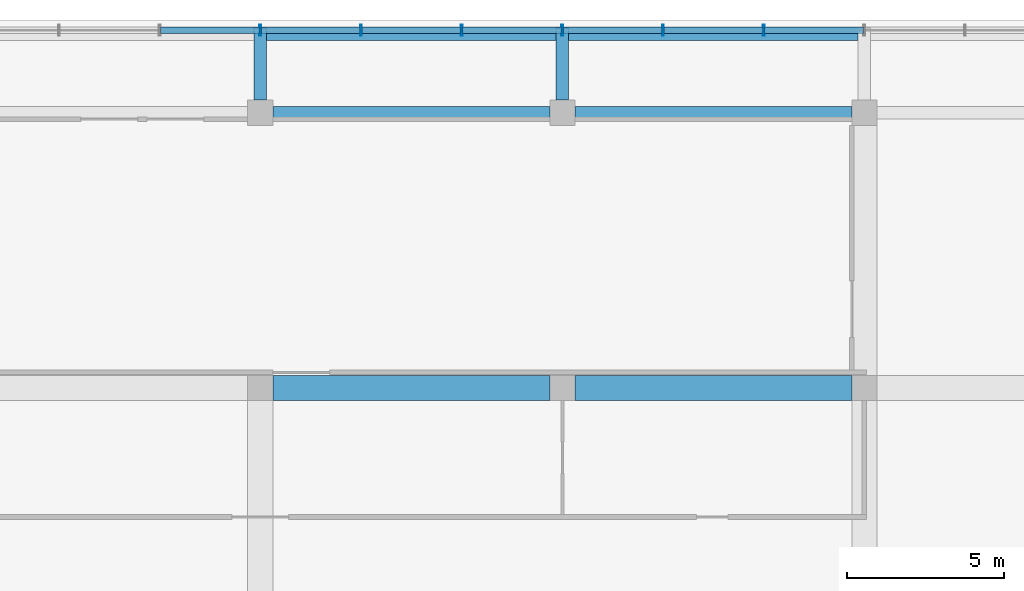
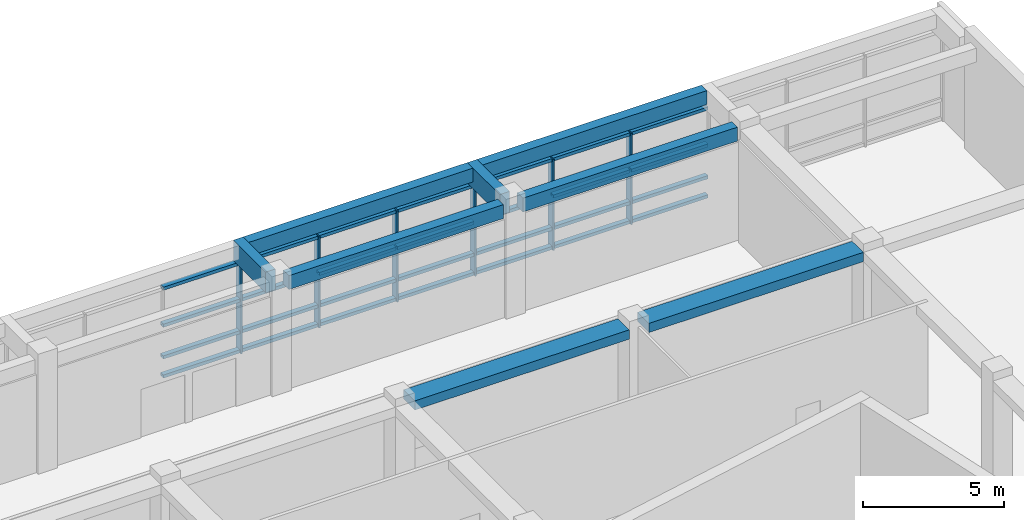
# One storey, part 4 of 31: 34 members, 8 beams, 1 element without a shape of its own.
"""IFC4 building model written with IfcOpenShell, lengths in metres."""

from ifc_helpers import new_model, si_unit, direction, frame, origin, origin_2d, place, context, subcontext, project, spatial, rectangle, hollow_rectangle, extrude, material, layer, layer_set, material_profile, profile_set, type_object, element, aggregate, save


model = new_model("IFC4")

# Units and contexts
model_context = context("Model", 3, precision=1e-05, world=origin(), true_north=direction((0.0, 1.0)))
body_context = subcontext(model_context, "Body", "Model", "MODEL_VIEW")
ifc_project = project(units=[si_unit("LENGTHUNIT", "METRE"), si_unit("AREAUNIT", "SQUARE_METRE"), si_unit("VOLUMEUNIT", "CUBIC_METRE"), si_unit("PLANEANGLEUNIT", "RADIAN"), si_unit("MASSUNIT", "GRAM", prefix="KILO")], contexts=[model_context])

# Site, building, storey
site_placement = place(None, origin())
site = spatial("IfcSite", under=ifc_project, at=site_placement, CompositionType="ELEMENT")
building_placement = place(site_placement, origin())
building = spatial("IfcBuilding", under=site, at=building_placement, Name="Nzadi Deep Aquarium and Research Tower", CompositionType="ELEMENT")
storey_placement = place(building_placement, frame((0.0, 0.0, 26.699951171875)))
storey = spatial("IfcBuildingStorey", under=building, at=storey_placement, Name="L04", CompositionType="ELEMENT", Elevation=26.699951171875)

# Curtain wall, members
ifc_material_1 = material(Name="Aluminium unitised frame tall span", Category="aluminium")
ifc_layer = layer(ifc_material_1, 0.35009765625)
ifc_layer_set = layer_set([ifc_layer], Name="Aluminium unitised frame tall span")
curtain_wall_type = type_object("IfcCurtainWallType", Name="Curtain wall Podium 350", PredefinedType="NOTDEFINED", material=ifc_layer_set)
curtain_wall_placement = place(storey_placement, origin())
curtain_wall = element("IfcCurtainWall", 1, at=curtain_wall_placement, inside=storey, type_object=curtain_wall_type, Name="North cascade curtain wall L04", PredefinedType="NOTDEFINED")
ifc_material_2 = material(Name="Aluminium unitised frame tall span", Category="aluminium")
ifc_material_profile_1 = material_profile(ifc_material_2, hollow_rectangle(XDim=0.35009765625, YDim=0.06005859375, WallThickness=0.0048828125, at=origin_2d()))
ifc_profile_set_1 = profile_set([ifc_material_profile_1], Name="Aluminium unitised frame tall span")
member_type_1 = type_object("IfcMemberType", Name="Mullion 60x350 Podium", PredefinedType="MULLION", material=ifc_profile_set_1)
member_1_placement = place(storey_placement, frame((28.800048828125, 142.97509765625, 0.0), z_axis=(0.0, 0.0, 1.0), x_axis=(0.0, 1.0, 0.0)))
member_1 = element("IfcMember", 2, at=member_1_placement, type_object=member_type_1, Name="CW256 mullion 10", PredefinedType="MULLION", context=body_context, shape_type="SweptSolid", body=[
    extrude(hollow_rectangle(XDim=0.35009765625, YDim=0.06005859375, WallThickness=0.0048828125, at=origin_2d()), origin(), (0.0, 0.0, 1.0), 3.949951171875),
])
member_2_placement = place(storey_placement, frame((32.0, 142.97509765625, 0.0), z_axis=(0.0, 0.0, 1.0), x_axis=(0.0, 1.0, 0.0)))
member_2 = element("IfcMember", 3, at=member_2_placement, type_object=member_type_1, Name="CW256 mullion 11", PredefinedType="MULLION", context=body_context, shape_type="SweptSolid", body=[
    extrude(hollow_rectangle(XDim=0.35009765625, YDim=0.06005859375, WallThickness=0.0048828125, at=origin_2d()), origin(), (0.0, 0.0, 1.0), 3.949951171875),
])
member_3_placement = place(storey_placement, frame((35.199951171875, 142.97509765625, 0.0), z_axis=(0.0, 0.0, 1.0), x_axis=(0.0, 1.0, 0.0)))
member_3 = element("IfcMember", 4, at=member_3_placement, type_object=member_type_1, Name="CW256 mullion 12", PredefinedType="MULLION", context=body_context, shape_type="SweptSolid", body=[
    extrude(hollow_rectangle(XDim=0.35009765625, YDim=0.06005859375, WallThickness=0.0048828125, at=origin_2d()), origin(), (0.0, 0.0, 1.0), 3.949951171875),
])
member_4_placement = place(storey_placement, frame((38.39990234375, 142.97509765625, 0.0), z_axis=(0.0, 0.0, 1.0), x_axis=(0.0, 1.0, 0.0)))
member_4 = element("IfcMember", 5, at=member_4_placement, type_object=member_type_1, Name="CW256 mullion 13", PredefinedType="MULLION", context=body_context, shape_type="SweptSolid", body=[
    extrude(hollow_rectangle(XDim=0.35009765625, YDim=0.06005859375, WallThickness=0.0048828125, at=origin_2d()), origin(), (0.0, 0.0, 1.0), 3.949951171875),
])
member_5_placement = place(storey_placement, frame((41.60009765625, 142.97509765625, 0.0), z_axis=(0.0, 0.0, 1.0), x_axis=(0.0, 1.0, 0.0)))
member_5 = element("IfcMember", 6, at=member_5_placement, type_object=member_type_1, Name="CW256 mullion 14", PredefinedType="MULLION", context=body_context, shape_type="SweptSolid", body=[
    extrude(hollow_rectangle(XDim=0.35009765625, YDim=0.06005859375, WallThickness=0.0048828125, at=origin_2d()), origin(), (0.0, 0.0, 1.0), 3.949951171875),
])
member_6_placement = place(storey_placement, frame((44.800048828125, 142.97509765625, 0.0), z_axis=(0.0, 0.0, 1.0), x_axis=(0.0, 1.0, 0.0)))
member_6 = element("IfcMember", 7, at=member_6_placement, type_object=member_type_1, Name="CW256 mullion 15", PredefinedType="MULLION", context=body_context, shape_type="SweptSolid", body=[
    extrude(hollow_rectangle(XDim=0.35009765625, YDim=0.06005859375, WallThickness=0.0048828125, at=origin_2d()), origin(), (0.0, 0.0, 1.0), 3.949951171875),
])

# Beams
ifc_material_3 = material(Name="Concrete C35/45", Category="concrete")
ifc_material_profile_2 = material_profile(ifc_material_3, rectangle(XDim=0.39990234375, YDim=0.60009765625, at=origin_2d()))
ifc_profile_set_2 = profile_set([ifc_material_profile_2], Name="Concrete C35/45")
beam_type_1 = type_object("IfcBeamType", Name="RC 400x600", PredefinedType="BEAM", material=ifc_profile_set_2)
for number, where, z_axis, x_axis, name in (
    (8, (29.199951171875, 140.35009765625, 4.550048828125), (1.0, 0.0, 0.0), (0.0, 1.0, 0.0), "B-Z3-L04-L18-4"),
    (9, (38.800048828125, 140.35009765625, 4.550048828125), (1.0, 0.0, 0.0), (0.0, 1.0, 0.0), "B-Z3-L04-L18-5"),
):
    element("IfcBeam", number, at=place(storey_placement, frame(where, z_axis=z_axis, x_axis=x_axis)), inside=storey, type_object=beam_type_1, Name=name, PredefinedType="BEAM", context=body_context, shape_type="SweptSolid", body=[
        extrude(rectangle(XDim=0.39990234375, YDim=0.60009765625, at=origin_2d()), origin(), (0.0, 0.0, 1.0), 8.800048828125),
    ])
for number, where, z_axis, x_axis, name in (
    (10, (29.0, 142.85009765625, 4.550048828125), (1.0, 0.0, 0.0), (0.0, 1.0, 0.0), "B-Z3-L05-TB4"),
    (11, (38.60009765625, 142.85009765625, 4.550048828125), (1.0, 0.0, 0.0), (0.0, 1.0, 0.0), "B-Z3-L05-TB5"),
):
    element("IfcBeam", number, at=place(storey_placement, frame(where, z_axis=z_axis, x_axis=x_axis)), inside=storey, type_object=beam_type_1, Name=name, PredefinedType="BEAM", context=body_context, shape_type="SweptSolid", body=[
        extrude(rectangle(XDim=0.39990234375, YDim=0.60009765625, at=origin_2d()), origin(), (0.0, 0.0, 1.0), 9.199951171875),
    ])
ifc_material_4 = material(Name="Concrete C35/45", Category="concrete")
ifc_material_profile_3 = material_profile(ifc_material_4, rectangle(XDim=0.39990234375, YDim=0.89990234375, at=origin_2d()))
ifc_profile_set_3 = profile_set([ifc_material_profile_3], Name="Concrete C35/45")
beam_type_2 = type_object("IfcBeamType", Name="RC 400x900", PredefinedType="BEAM", material=ifc_profile_set_3)
for number, where, z_axis, x_axis, name in (
    (12, (28.800048828125, 140.75, 4.400146484375), (0.0, 1.0, 0.0), (-1.0, 0.0, 0.0), "B-Z3-L05-CB4"),
    (13, (38.39990234375, 140.75, 4.400146484375), (0.0, 1.0, 0.0), (-1.0, 0.0, 0.0), "B-Z3-L05-CB5"),
):
    element("IfcBeam", number, at=place(storey_placement, frame(where, z_axis=z_axis, x_axis=x_axis)), inside=storey, type_object=beam_type_2, Name=name, PredefinedType="BEAM", context=body_context, shape_type="SweptSolid", body=[
        extrude(rectangle(XDim=0.39990234375, YDim=0.89990234375, at=origin_2d()), origin(), (0.0, 0.0, 1.0), 2.300048828125),
    ])
ifc_material_5 = material(Name="Concrete C35/45", Category="concrete")
ifc_material_profile_4 = material_profile(ifc_material_5, rectangle(XDim=0.800048828125, YDim=0.39990234375, at=origin_2d()))
ifc_profile_set_4 = profile_set([ifc_material_profile_4], Name="Concrete C35/45")
beam_type_3 = type_object("IfcBeamType", Name="RC 800x400", PredefinedType="BEAM", material=ifc_profile_set_4)
for number, where, z_axis, x_axis, name in (
    (14, (29.199951171875, 131.60009765625, 4.650146484375), (1.0, 0.0, 0.0), (0.0, 1.0, 0.0), "B-Z3-L04-L17-4"),
    (15, (38.800048828125, 131.60009765625, 4.650146484375), (1.0, 0.0, 0.0), (0.0, 1.0, 0.0), "B-Z3-L04-L17-5"),
):
    element("IfcBeam", number, at=place(storey_placement, frame(where, z_axis=z_axis, x_axis=x_axis)), inside=storey, type_object=beam_type_3, Name=name, PredefinedType="BEAM", context=body_context, shape_type="SweptSolid", body=[
        extrude(rectangle(XDim=0.800048828125, YDim=0.39990234375, at=origin_2d()), origin(), (0.0, 0.0, 1.0), 8.800048828125),
    ])

# Member
ifc_material_6 = material(Name="Aluminium unitised frame tall span", Category="aluminium")
ifc_material_profile_5 = material_profile(ifc_material_6, hollow_rectangle(XDim=0.199951171875, YDim=0.139892578125, WallThickness=0.0048828125, at=origin_2d()))
ifc_profile_set_5 = profile_set([ifc_material_profile_5], Name="Aluminium unitised frame tall span")
member_type_2 = type_object("IfcMemberType", Name="Transom 140x200 Podium", PredefinedType="MULLION", material=ifc_profile_set_5)
member_7_placement = place(storey_placement, frame((25.6298828125, 142.97509765625, 0.070068359375), z_axis=(1.0, 0.0, 0.0), x_axis=(0.0, 1.0, 0.0)))
member_7 = element("IfcMember", 16, at=member_7_placement, type_object=member_type_2, Name="CW256 transom 9.1", PredefinedType="MULLION", context=body_context, shape_type="SweptSolid", body=[
    extrude(hollow_rectangle(XDim=0.199951171875, YDim=0.139892578125, WallThickness=0.0048828125, at=origin_2d()), origin(), (0.0, 0.0, 1.0), 3.14013671875),
])

member_8_placement = place(storey_placement, frame((25.6298828125, 142.97509765625, 0.900146484375), z_axis=(1.0, 0.0, 0.0), x_axis=(0.0, 1.0, 0.0)))
member_8 = element("IfcMember", 17, at=member_8_placement, type_object=member_type_2, Name="CW256 transom 9.2", PredefinedType="MULLION", context=body_context, shape_type="SweptSolid", body=[
    extrude(hollow_rectangle(XDim=0.199951171875, YDim=0.139892578125, WallThickness=0.0048828125, at=origin_2d()), origin(), (0.0, 0.0, 1.0), 3.14013671875),
])

member_9_placement = place(storey_placement, frame((25.6298828125, 142.97509765625, 2.275146484375), z_axis=(1.0, 0.0, 0.0), x_axis=(0.0, 1.0, 0.0)))
member_9 = element("IfcMember", 18, at=member_9_placement, type_object=member_type_2, Name="CW256 transom 9.3", PredefinedType="MULLION", context=body_context, shape_type="SweptSolid", body=[
    extrude(hollow_rectangle(XDim=0.199951171875, YDim=0.139892578125, WallThickness=0.0048828125, at=origin_2d()), origin(), (0.0, 0.0, 1.0), 3.14013671875),
])

member_10_placement = place(storey_placement, frame((25.6298828125, 142.97509765625, 3.880126953125), z_axis=(1.0, 0.0, 0.0), x_axis=(0.0, 1.0, 0.0)))
member_10 = element("IfcMember", 19, at=member_10_placement, type_object=member_type_2, Name="CW256 transom 9.4", PredefinedType="MULLION", context=body_context, shape_type="SweptSolid", body=[
    extrude(hollow_rectangle(XDim=0.199951171875, YDim=0.139892578125, WallThickness=0.0048828125, at=origin_2d()), origin(), (0.0, 0.0, 1.0), 3.14013671875),
])

member_11_placement = place(storey_placement, frame((28.830078125, 142.97509765625, 0.070068359375), z_axis=(1.0, 0.0, 0.0), x_axis=(0.0, 1.0, 0.0)))
member_11 = element("IfcMember", 20, at=member_11_placement, type_object=member_type_2, Name="CW256 transom 10.1", PredefinedType="MULLION", context=body_context, shape_type="SweptSolid", body=[
    extrude(hollow_rectangle(XDim=0.199951171875, YDim=0.139892578125, WallThickness=0.0048828125, at=origin_2d()), origin(), (0.0, 0.0, 1.0), 3.139892578125),
])

member_12_placement = place(storey_placement, frame((28.830078125, 142.97509765625, 0.900146484375), z_axis=(1.0, 0.0, 0.0), x_axis=(0.0, 1.0, 0.0)))
member_12 = element("IfcMember", 21, at=member_12_placement, type_object=member_type_2, Name="CW256 transom 10.2", PredefinedType="MULLION", context=body_context, shape_type="SweptSolid", body=[
    extrude(hollow_rectangle(XDim=0.199951171875, YDim=0.139892578125, WallThickness=0.0048828125, at=origin_2d()), origin(), (0.0, 0.0, 1.0), 3.139892578125),
])

member_13_placement = place(storey_placement, frame((28.830078125, 142.97509765625, 2.275146484375), z_axis=(1.0, 0.0, 0.0), x_axis=(0.0, 1.0, 0.0)))
member_13 = element("IfcMember", 22, at=member_13_placement, type_object=member_type_2, Name="CW256 transom 10.3", PredefinedType="MULLION", context=body_context, shape_type="SweptSolid", body=[
    extrude(hollow_rectangle(XDim=0.199951171875, YDim=0.139892578125, WallThickness=0.0048828125, at=origin_2d()), origin(), (0.0, 0.0, 1.0), 3.139892578125),
])

member_14_placement = place(storey_placement, frame((28.830078125, 142.97509765625, 3.880126953125), z_axis=(1.0, 0.0, 0.0), x_axis=(0.0, 1.0, 0.0)))
member_14 = element("IfcMember", 23, at=member_14_placement, type_object=member_type_2, Name="CW256 transom 10.4", PredefinedType="MULLION", context=body_context, shape_type="SweptSolid", body=[
    extrude(hollow_rectangle(XDim=0.199951171875, YDim=0.139892578125, WallThickness=0.0048828125, at=origin_2d()), origin(), (0.0, 0.0, 1.0), 3.139892578125),
])

member_15_placement = place(storey_placement, frame((32.030029296875, 142.97509765625, 0.070068359375), z_axis=(1.0, 0.0, 0.0), x_axis=(0.0, 1.0, 0.0)))
member_15 = element("IfcMember", 24, at=member_15_placement, type_object=member_type_2, Name="CW256 transom 11.1", PredefinedType="MULLION", context=body_context, shape_type="SweptSolid", body=[
    extrude(hollow_rectangle(XDim=0.199951171875, YDim=0.139892578125, WallThickness=0.0048828125, at=origin_2d()), origin(), (0.0, 0.0, 1.0), 3.139892578125),
])

member_16_placement = place(storey_placement, frame((32.030029296875, 142.97509765625, 0.900146484375), z_axis=(1.0, 0.0, 0.0), x_axis=(0.0, 1.0, 0.0)))
member_16 = element("IfcMember", 25, at=member_16_placement, type_object=member_type_2, Name="CW256 transom 11.2", PredefinedType="MULLION", context=body_context, shape_type="SweptSolid", body=[
    extrude(hollow_rectangle(XDim=0.199951171875, YDim=0.139892578125, WallThickness=0.0048828125, at=origin_2d()), origin(), (0.0, 0.0, 1.0), 3.139892578125),
])

member_17_placement = place(storey_placement, frame((32.030029296875, 142.97509765625, 2.275146484375), z_axis=(1.0, 0.0, 0.0), x_axis=(0.0, 1.0, 0.0)))
member_17 = element("IfcMember", 26, at=member_17_placement, type_object=member_type_2, Name="CW256 transom 11.3", PredefinedType="MULLION", context=body_context, shape_type="SweptSolid", body=[
    extrude(hollow_rectangle(XDim=0.199951171875, YDim=0.139892578125, WallThickness=0.0048828125, at=origin_2d()), origin(), (0.0, 0.0, 1.0), 3.139892578125),
])

member_18_placement = place(storey_placement, frame((32.030029296875, 142.97509765625, 3.880126953125), z_axis=(1.0, 0.0, 0.0), x_axis=(0.0, 1.0, 0.0)))
member_18 = element("IfcMember", 27, at=member_18_placement, type_object=member_type_2, Name="CW256 transom 11.4", PredefinedType="MULLION", context=body_context, shape_type="SweptSolid", body=[
    extrude(hollow_rectangle(XDim=0.199951171875, YDim=0.139892578125, WallThickness=0.0048828125, at=origin_2d()), origin(), (0.0, 0.0, 1.0), 3.139892578125),
])

member_19_placement = place(storey_placement, frame((35.22998046875, 142.97509765625, 0.070068359375), z_axis=(1.0, 0.0, 0.0), x_axis=(0.0, 1.0, 0.0)))
member_19 = element("IfcMember", 28, at=member_19_placement, type_object=member_type_2, Name="CW256 transom 12.1", PredefinedType="MULLION", context=body_context, shape_type="SweptSolid", body=[
    extrude(hollow_rectangle(XDim=0.199951171875, YDim=0.139892578125, WallThickness=0.0048828125, at=origin_2d()), origin(), (0.0, 0.0, 1.0), 3.14013671875),
])

member_20_placement = place(storey_placement, frame((35.22998046875, 142.97509765625, 0.900146484375), z_axis=(1.0, 0.0, 0.0), x_axis=(0.0, 1.0, 0.0)))
member_20 = element("IfcMember", 29, at=member_20_placement, type_object=member_type_2, Name="CW256 transom 12.2", PredefinedType="MULLION", context=body_context, shape_type="SweptSolid", body=[
    extrude(hollow_rectangle(XDim=0.199951171875, YDim=0.139892578125, WallThickness=0.0048828125, at=origin_2d()), origin(), (0.0, 0.0, 1.0), 3.14013671875),
])

member_21_placement = place(storey_placement, frame((35.22998046875, 142.97509765625, 2.275146484375), z_axis=(1.0, 0.0, 0.0), x_axis=(0.0, 1.0, 0.0)))
member_21 = element("IfcMember", 30, at=member_21_placement, type_object=member_type_2, Name="CW256 transom 12.3", PredefinedType="MULLION", context=body_context, shape_type="SweptSolid", body=[
    extrude(hollow_rectangle(XDim=0.199951171875, YDim=0.139892578125, WallThickness=0.0048828125, at=origin_2d()), origin(), (0.0, 0.0, 1.0), 3.14013671875),
])

member_22_placement = place(storey_placement, frame((35.22998046875, 142.97509765625, 3.880126953125), z_axis=(1.0, 0.0, 0.0), x_axis=(0.0, 1.0, 0.0)))
member_22 = element("IfcMember", 31, at=member_22_placement, type_object=member_type_2, Name="CW256 transom 12.4", PredefinedType="MULLION", context=body_context, shape_type="SweptSolid", body=[
    extrude(hollow_rectangle(XDim=0.199951171875, YDim=0.139892578125, WallThickness=0.0048828125, at=origin_2d()), origin(), (0.0, 0.0, 1.0), 3.14013671875),
])

member_23_placement = place(storey_placement, frame((38.429931640625, 142.97509765625, 0.070068359375), z_axis=(1.0, 0.0, 0.0), x_axis=(0.0, 1.0, 0.0)))
member_23 = element("IfcMember", 32, at=member_23_placement, type_object=member_type_2, Name="CW256 transom 13.1", PredefinedType="MULLION", context=body_context, shape_type="SweptSolid", body=[
    extrude(hollow_rectangle(XDim=0.199951171875, YDim=0.139892578125, WallThickness=0.0048828125, at=origin_2d()), origin(), (0.0, 0.0, 1.0), 3.14013671875),
])

member_24_placement = place(storey_placement, frame((38.429931640625, 142.97509765625, 0.900146484375), z_axis=(1.0, 0.0, 0.0), x_axis=(0.0, 1.0, 0.0)))
member_24 = element("IfcMember", 33, at=member_24_placement, type_object=member_type_2, Name="CW256 transom 13.2", PredefinedType="MULLION", context=body_context, shape_type="SweptSolid", body=[
    extrude(hollow_rectangle(XDim=0.199951171875, YDim=0.139892578125, WallThickness=0.0048828125, at=origin_2d()), origin(), (0.0, 0.0, 1.0), 3.14013671875),
])

member_25_placement = place(storey_placement, frame((38.429931640625, 142.97509765625, 2.275146484375), z_axis=(1.0, 0.0, 0.0), x_axis=(0.0, 1.0, 0.0)))
member_25 = element("IfcMember", 34, at=member_25_placement, type_object=member_type_2, Name="CW256 transom 13.3", PredefinedType="MULLION", context=body_context, shape_type="SweptSolid", body=[
    extrude(hollow_rectangle(XDim=0.199951171875, YDim=0.139892578125, WallThickness=0.0048828125, at=origin_2d()), origin(), (0.0, 0.0, 1.0), 3.14013671875),
])

member_26_placement = place(storey_placement, frame((38.429931640625, 142.97509765625, 3.880126953125), z_axis=(1.0, 0.0, 0.0), x_axis=(0.0, 1.0, 0.0)))
member_26 = element("IfcMember", 35, at=member_26_placement, type_object=member_type_2, Name="CW256 transom 13.4", PredefinedType="MULLION", context=body_context, shape_type="SweptSolid", body=[
    extrude(hollow_rectangle(XDim=0.199951171875, YDim=0.139892578125, WallThickness=0.0048828125, at=origin_2d()), origin(), (0.0, 0.0, 1.0), 3.14013671875),
])

member_27_placement = place(storey_placement, frame((41.6298828125, 142.97509765625, 0.070068359375), z_axis=(1.0, 0.0, 0.0), x_axis=(0.0, 1.0, 0.0)))
member_27 = element("IfcMember", 36, at=member_27_placement, type_object=member_type_2, Name="CW256 transom 14.1", PredefinedType="MULLION", context=body_context, shape_type="SweptSolid", body=[
    extrude(hollow_rectangle(XDim=0.199951171875, YDim=0.139892578125, WallThickness=0.0048828125, at=origin_2d()), origin(), (0.0, 0.0, 1.0), 3.14013671875),
])

member_28_placement = place(storey_placement, frame((41.6298828125, 142.97509765625, 0.900146484375), z_axis=(1.0, 0.0, 0.0), x_axis=(0.0, 1.0, 0.0)))
member_28 = element("IfcMember", 37, at=member_28_placement, type_object=member_type_2, Name="CW256 transom 14.2", PredefinedType="MULLION", context=body_context, shape_type="SweptSolid", body=[
    extrude(hollow_rectangle(XDim=0.199951171875, YDim=0.139892578125, WallThickness=0.0048828125, at=origin_2d()), origin(), (0.0, 0.0, 1.0), 3.14013671875),
])

member_29_placement = place(storey_placement, frame((41.6298828125, 142.97509765625, 2.275146484375), z_axis=(1.0, 0.0, 0.0), x_axis=(0.0, 1.0, 0.0)))
member_29 = element("IfcMember", 38, at=member_29_placement, type_object=member_type_2, Name="CW256 transom 14.3", PredefinedType="MULLION", context=body_context, shape_type="SweptSolid", body=[
    extrude(hollow_rectangle(XDim=0.199951171875, YDim=0.139892578125, WallThickness=0.0048828125, at=origin_2d()), origin(), (0.0, 0.0, 1.0), 3.14013671875),
])

member_30_placement = place(storey_placement, frame((41.6298828125, 142.97509765625, 3.880126953125), z_axis=(1.0, 0.0, 0.0), x_axis=(0.0, 1.0, 0.0)))
member_30 = element("IfcMember", 39, at=member_30_placement, type_object=member_type_2, Name="CW256 transom 14.4", PredefinedType="MULLION", context=body_context, shape_type="SweptSolid", body=[
    extrude(hollow_rectangle(XDim=0.199951171875, YDim=0.139892578125, WallThickness=0.0048828125, at=origin_2d()), origin(), (0.0, 0.0, 1.0), 3.14013671875),
])

member_31_placement = place(storey_placement, frame((44.830078125, 142.97509765625, 0.070068359375), z_axis=(1.0, 0.0, 0.0), x_axis=(0.0, 1.0, 0.0)))
member_31 = element("IfcMember", 40, at=member_31_placement, type_object=member_type_2, Name="CW256 transom 15.1", PredefinedType="MULLION", context=body_context, shape_type="SweptSolid", body=[
    extrude(hollow_rectangle(XDim=0.199951171875, YDim=0.139892578125, WallThickness=0.0048828125, at=origin_2d()), origin(), (0.0, 0.0, 1.0), 3.139892578125),
])

member_32_placement = place(storey_placement, frame((44.830078125, 142.97509765625, 0.900146484375), z_axis=(1.0, 0.0, 0.0), x_axis=(0.0, 1.0, 0.0)))
member_32 = element("IfcMember", 41, at=member_32_placement, type_object=member_type_2, Name="CW256 transom 15.2", PredefinedType="MULLION", context=body_context, shape_type="SweptSolid", body=[
    extrude(hollow_rectangle(XDim=0.199951171875, YDim=0.139892578125, WallThickness=0.0048828125, at=origin_2d()), origin(), (0.0, 0.0, 1.0), 3.139892578125),
])

member_33_placement = place(storey_placement, frame((44.830078125, 142.97509765625, 2.275146484375), z_axis=(1.0, 0.0, 0.0), x_axis=(0.0, 1.0, 0.0)))
member_33 = element("IfcMember", 42, at=member_33_placement, type_object=member_type_2, Name="CW256 transom 15.3", PredefinedType="MULLION", context=body_context, shape_type="SweptSolid", body=[
    extrude(hollow_rectangle(XDim=0.199951171875, YDim=0.139892578125, WallThickness=0.0048828125, at=origin_2d()), origin(), (0.0, 0.0, 1.0), 3.139892578125),
])

member_34_placement = place(storey_placement, frame((44.830078125, 142.97509765625, 3.880126953125), z_axis=(1.0, 0.0, 0.0), x_axis=(0.0, 1.0, 0.0)))
member_34 = element("IfcMember", 43, at=member_34_placement, type_object=member_type_2, Name="CW256 transom 15.4", PredefinedType="MULLION", context=body_context, shape_type="SweptSolid", body=[
    extrude(hollow_rectangle(XDim=0.199951171875, YDim=0.139892578125, WallThickness=0.0048828125, at=origin_2d()), origin(), (0.0, 0.0, 1.0), 3.139892578125),
])

aggregate(curtain_wall, [member_1, member_2, member_3, member_4, member_5, member_6, member_7, member_8, member_9, member_10, member_11, member_12, member_13, member_14, member_15, member_16, member_17, member_18, member_19, member_20, member_21, member_22, member_23, member_24, member_25, member_26, member_27, member_28, member_29, member_30, member_31, member_32, member_33, member_34])

save(model, "model.ifc")
